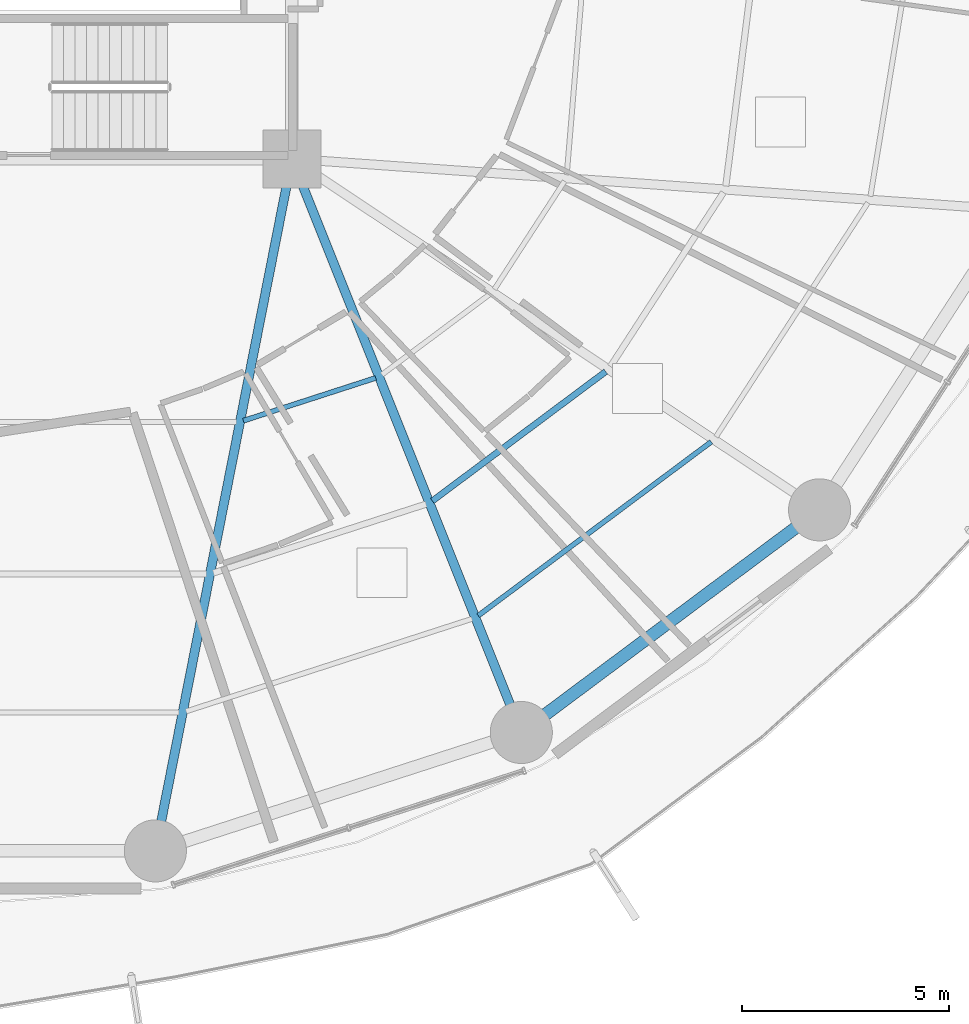
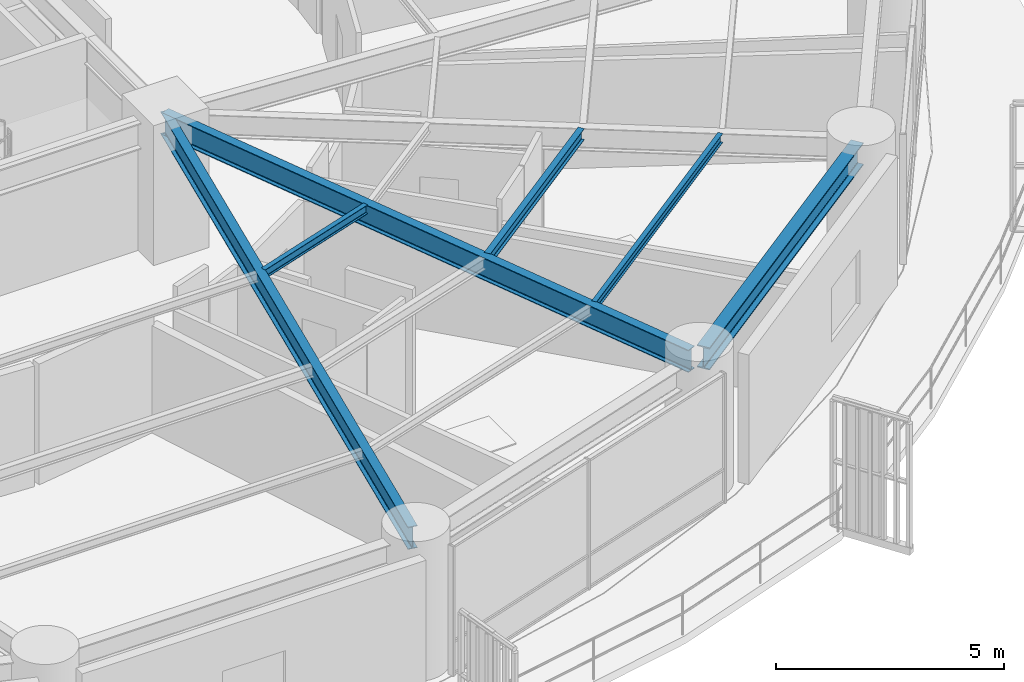
# One storey, part 9 of 33: 6 beams.
"""IFC4 building model written with IfcOpenShell, lengths in metres."""

import ifcopenshell
import ifcopenshell.guid

model = None  # the IFC model being written
_history = None  # IfcOwnerHistory: only IFC2X3 demands one
_inside = {}  # id of a spatial element -> (the spatial element, [elements in it])
_under = {}  # id of a project, library or spatial element -> (it, [spatial elements below it])
_declared = {}  # id of a project -> (the project, [libraries it declares])
_typed = {}  # id of a type object -> (the type object, [elements of that type])
_made_of = {}  # id of a material, layer set ... -> (it, [elements and type objects made of it])


def new_model(schema):
    """Start an empty IFC model of exactly this schema.

    Asked for "IFC4X3", IfcOpenShell would pick the latest addendum, in which some entities
    have other attributes; the version numbers below select the first issue.
    IFC2X3 requires an IfcOwnerHistory on every rooted entity: one is made here for all.
    """
    global model, _history
    if schema == "IFC4X3":
        model = ifcopenshell.file(schema_version=(4, 3, 0, 0))
    else:
        model = ifcopenshell.file(schema=schema)
    _inside.clear()
    _under.clear()
    _declared.clear()
    _typed.clear()
    _made_of.clear()
    _history = None
    if model.schema == "IFC2X3":
        org = make("IfcOrganization", Name="unknown")
        user = make(
            "IfcPersonAndOrganization",
            ThePerson=make("IfcPerson", FamilyName="unknown"),
            TheOrganization=org,
        )
        app = make(
            "IfcApplication",
            ApplicationDeveloper=org,
            Version="unknown",
            ApplicationFullName="unknown",
            ApplicationIdentifier="unknown",
        )
        _history = make(
            "IfcOwnerHistory",
            OwningUser=user,
            OwningApplication=app,
            ChangeAction="ADDED",
            CreationDate=0,
        )
    return model


def make(cls, **values):
    """One entity of the class cls with the attributes given. An attribute that is None is left unset."""
    return model.create_entity(
        cls, **{name: value for name, value in values.items() if value is not None}
    )


def rooted(cls, **values):
    """An entity with a GlobalId (a new one), such as an element, a storey or a relation."""
    return make(cls, GlobalId=ifcopenshell.guid.new(), OwnerHistory=_history, **values)


def si_unit(unit_type, name, prefix=None):
    """IfcSIUnit, for example si_unit("LENGTHUNIT", "METRE", prefix="MILLI")."""
    return make("IfcSIUnit", UnitType=unit_type, Prefix=prefix, Name=name)


def assignment(units):
    """IfcUnitAssignment: the units of a project."""
    return None if units is None else make("IfcUnitAssignment", Units=units)


def point(xyz):
    """IfcCartesianPoint."""
    return None if xyz is None else make("IfcCartesianPoint", Coordinates=xyz)


def direction(xyz):
    """IfcDirection."""
    return None if xyz is None else make("IfcDirection", DirectionRatios=xyz)


def frame(location, z_axis=None, x_axis=None):
    """IfcAxis2Placement3D, a coordinate frame: its origin and axes. An axis left out is left unset."""
    return make(
        "IfcAxis2Placement3D",
        Location=point(location),
        Axis=direction(z_axis),
        RefDirection=direction(x_axis),
    )


def frame_2d(location, x_axis=None):
    """IfcAxis2Placement2D, a coordinate frame in the plane: its origin and x axis."""
    return make(
        "IfcAxis2Placement2D", Location=point(location), RefDirection=direction(x_axis)
    )


def origin():
    """The frame at (0, 0, 0) with its axes left unset."""
    return frame((0.0, 0.0, 0.0))


def origin_2d():
    """The frame at (0, 0) in the plane with its x axis left unset."""
    return frame_2d((0.0, 0.0))


def place(relative_to, where):
    """IfcLocalPlacement: puts the frame where relative to a parent placement (None: the world)."""
    return make(
        "IfcLocalPlacement", PlacementRelTo=relative_to, RelativePlacement=where
    )


def context(
    kind, dimensions, precision=None, world=None, true_north=None, identifier=None
):
    """IfcGeometricRepresentationContext, for example the 3D "Model" context."""
    return make(
        "IfcGeometricRepresentationContext",
        ContextIdentifier=identifier,
        ContextType=kind,
        CoordinateSpaceDimension=dimensions,
        Precision=precision,
        WorldCoordinateSystem=world,
        TrueNorth=true_north,
    )


def subcontext(parent, identifier, kind, view, scale=None):
    """IfcGeometricRepresentationSubContext, for example "Body" below "Model"."""
    return make(
        "IfcGeometricRepresentationSubContext",
        ContextIdentifier=identifier,
        ContextType=kind,
        ParentContext=parent,
        TargetScale=scale,
        TargetView=view,
    )


def project(units=None, contexts=None):
    """IfcProject with its units and contexts."""
    return rooted(
        "IfcProject",
        Name="project",
        RepresentationContexts=contexts,
        UnitsInContext=assignment(units),
    )


def spatial(cls, under=None, at=None, **own):
    """A site, building, storey or space (cls), placed at a placement, below another one or the project."""
    s = rooted(cls, ObjectPlacement=at, **own)
    if under is not None:
        _under.setdefault(under.id(), (under, []))[1].append(s)
    return s


def profile(cls, at=None, kind="AREA", **sizes):
    """A parametric profile (cls). Its sizes go by their IFC names, for example OverallWidth=200.0."""
    return make(cls, ProfileType=kind, Position=at, **sizes)


def i_section(**sizes):
    """IfcIShapeProfileDef."""
    return profile("IfcIShapeProfileDef", **sizes)


def extrude(swept, where, along, depth):
    """IfcExtrudedAreaSolid: the profile swept, set in the frame where, extruded along a direction by depth."""
    return make(
        "IfcExtrudedAreaSolid",
        SweptArea=swept,
        Position=where,
        ExtrudedDirection=direction(along),
        Depth=depth,
    )


def shape(context_of_items, identifier, shape_type, items):
    """IfcShapeRepresentation: the items that make up one representation, for example the "Body"."""
    return make(
        "IfcShapeRepresentation",
        ContextOfItems=context_of_items,
        RepresentationIdentifier=identifier,
        RepresentationType=shape_type,
        Items=items,
    )


def material(Name=None, Category=None):
    """IfcMaterial."""
    return make("IfcMaterial", Name=Name, Category=Category)


def material_profile(
    of_material, cross_section, Name=None, Category=None, Priority=None
):
    """IfcMaterialProfile: a cross section and its material."""
    return make(
        "IfcMaterialProfile",
        Name=Name,
        Material=of_material,
        Profile=cross_section,
        Priority=Priority,
        Category=Category,
    )


def profile_set(profiles, Name=None, composite=None):
    """IfcMaterialProfileSet."""
    return make(
        "IfcMaterialProfileSet",
        Name=Name,
        MaterialProfiles=profiles,
        CompositeProfile=composite,
    )


def made_of(thing, what):
    """Note that an element or type object is made of a material, layer set ...; save() writes the relation."""
    if what is not None:
        _made_of.setdefault(what.id(), (what, []))[1].append(thing)
    return thing


def type_object(cls, material=None, **own):
    """A type object (cls), such as IfcWallType, which elements share."""
    return made_of(rooted(cls, **own), material)


def element(
    cls,
    number,
    at=None,
    inside=None,
    cuts=None,
    type_object=None,
    material=None,
    context=None,
    identifier="Body",
    shape_type=None,
    held_by="IfcProductDefinitionShape",
    body=None,
    shapes=None,
    **own,
):
    """One element of the class cls, such as IfcWall. Its Tag is "e" and its number.

    at: its placement. inside: the storey or other place that contains it. cuts: it is an
    opening in that element (IfcRelVoidsElement). A single representation is given by context,
    identifier, shape_type and body (its items); several are given by shapes. held_by: the class
    of the entity that holds the representations. save() writes the other relations.
    """
    e = rooted(cls, Tag="e%d" % number, ObjectPlacement=at, **own)
    if body is not None:
        shapes = [shape(context, identifier, shape_type, body)]
    if shapes is not None:
        e.Representation = make(held_by, Representations=shapes)
    if inside is not None:
        _inside.setdefault(inside.id(), (inside, []))[1].append(e)
    if cuts is not None:
        rooted(
            "IfcRelVoidsElement", RelatingBuildingElement=cuts, RelatedOpeningElement=e
        )
    if type_object is not None:
        _typed.setdefault(type_object.id(), (type_object, []))[1].append(e)
    return made_of(e, material)


def aggregate(whole, parts):
    """IfcRelAggregates: a whole, such as a stair, and the parts it consists of."""
    return rooted("IfcRelAggregates", RelatingObject=whole, RelatedObjects=parts)


def save(model, path):
    """Write the relations noted so far, then the file.

    IfcRelAggregates (storeys below a building ...), IfcRelContainedInSpatialStructure (elements
    in a storey), IfcRelDefinesByType, IfcRelAssociatesMaterial and IfcRelDeclares: one each for
    every whole, place, type object, material and project.
    """
    for whole, parts in _under.values():
        aggregate(whole, parts)
    for where, things in _inside.values():
        rooted(
            "IfcRelContainedInSpatialStructure",
            RelatedElements=things,
            RelatingStructure=where,
        )
    for kind, things in _typed.values():
        rooted("IfcRelDefinesByType", RelatedObjects=things, RelatingType=kind)
    for what, things in _made_of.values():
        rooted("IfcRelAssociatesMaterial", RelatedObjects=things, RelatingMaterial=what)
    for by, libraries in _declared.values():
        rooted("IfcRelDeclares", RelatingContext=by, RelatedDefinitions=libraries)
    model.write(path)


model = new_model("IFC4")

# Units and contexts
model_context = context("Model", 3, precision=1e-05, world=origin(), true_north=direction((0.0, 1.0)))
body_context = subcontext(model_context, "Body", "Model", "MODEL_VIEW")
ifc_project = project(units=[si_unit("LENGTHUNIT", "METRE"), si_unit("AREAUNIT", "SQUARE_METRE"), si_unit("VOLUMEUNIT", "CUBIC_METRE"), si_unit("PLANEANGLEUNIT", "RADIAN"), si_unit("MASSUNIT", "GRAM", prefix="KILO")], contexts=[model_context])

# Site, building, storey
site_placement = place(None, origin())
site = spatial("IfcSite", under=ifc_project, at=site_placement, CompositionType="ELEMENT")
building_placement = place(site_placement, origin())
building = spatial("IfcBuilding", under=site, at=building_placement, Name="Kelanora Arch Commons", CompositionType="ELEMENT")
storey_placement = place(building_placement, frame((0.0, 0.0, 37.5)))
storey = spatial("IfcBuildingStorey", under=building, at=storey_placement, Name="L09", CompositionType="ELEMENT", Elevation=37.5)

# Beams
ifc_material = material(Name="Steel S355", Category="steel")
ifc_material_profile_1 = material_profile(ifc_material, i_section(OverallWidth=0.14990234375, OverallDepth=0.300048828125, WebThickness=0.007080078125, FlangeThickness=0.0107421875, FilletRadius=0.014892578125, at=origin_2d()), Name="IPE300")
ifc_profile_set_1 = profile_set([ifc_material_profile_1], Name="Steel S355")
beam_type_1 = type_object("IfcBeamType", Name="BM-JST-01", PredefinedType="JOIST", material=ifc_profile_set_1)
beam_1_placement = place(storey_placement, frame((85.39208984375, 42.738525390625, 3.340087890625), z_axis=(0.801478251559, 0.598023922831, 0.0), x_axis=(-0.598023922831, 0.801478251559, 0.0)))
element("IfcBeam", 1, at=beam_1_placement, inside=storey, type_object=beam_type_1, Name="Secondary Chord Joist BJB-30 L09", PredefinedType="JOIST", context=body_context, shape_type="SweptSolid", body=[
    extrude(i_section(OverallWidth=0.14990234375, OverallDepth=0.300048828125, WebThickness=0.007080078125, FlangeThickness=0.0107421875, FilletRadius=0.014892578125, at=origin_2d()), origin(), (0.0, 0.0, 1.0), 5.223388671875),
])
ifc_material_profile_2 = material_profile(ifc_material, i_section(OverallWidth=0.1201171875, OverallDepth=0.239990234375, WebThickness=0.006103515625, FlangeThickness=0.009765625, FilletRadius=0.014892578125, at=origin_2d()), Name="IPE240")
ifc_profile_set_2 = profile_set([ifc_material_profile_2], Name="Steel S355")
beam_type_2 = type_object("IfcBeamType", Name="BM-JST-02", PredefinedType="JOIST", material=ifc_profile_set_2)
beam_2_placement = place(storey_placement, frame((80.827880859375, 44.6748046875, 3.3701171875), z_axis=(0.951422608074, 0.30788800049, 0.0), x_axis=(-0.30788800049, 0.951422608074, 0.0)))
element("IfcBeam", 2, at=beam_2_placement, inside=storey, type_object=beam_type_2, Name="Secondary Chord Joist BJA-28 L09", PredefinedType="JOIST", context=body_context, shape_type="SweptSolid", body=[
    extrude(i_section(OverallWidth=0.1201171875, OverallDepth=0.239990234375, WebThickness=0.006103515625, FlangeThickness=0.009765625, FilletRadius=0.014892578125, at=origin_2d()), origin(), (0.0, 0.0, 1.0), 3.359619140625),
])
beam_3_placement = place(storey_placement, frame((86.5, 39.9677734375, 3.3701171875), z_axis=(0.80149131963, 0.598006408459, 0.0), x_axis=(-0.598006408459, 0.80149131963, 0.0)))
element("IfcBeam", 3, at=beam_3_placement, inside=storey, type_object=beam_type_2, Name="Secondary Chord Joist BJC-30 L09", PredefinedType="JOIST", context=body_context, shape_type="SweptSolid", body=[
    extrude(i_section(OverallWidth=0.1201171875, OverallDepth=0.239990234375, WebThickness=0.006103515625, FlangeThickness=0.009765625, FilletRadius=0.014892578125, at=origin_2d()), origin(), (0.0, 0.0, 1.0), 7.021240234375),
])
ifc_material_profile_3 = material_profile(ifc_material, i_section(OverallWidth=0.219970703125, OverallDepth=0.60009765625, WebThickness=0.011962890625, FlangeThickness=0.01904296875, FilletRadius=0.02392578125, at=origin_2d()), Name="IPE600")
ifc_profile_set_3 = profile_set([ifc_material_profile_3], Name="Steel S355")
beam_type_3 = type_object("IfcBeamType", Name="BM-RAD-Z1", PredefinedType="BEAM", material=ifc_profile_set_3)
beam_4_placement = place(storey_placement, frame((82.0, 51.0, 3.18994140625), z_axis=(-0.193555256292, -0.981089375522, 0.0), x_axis=(0.981089375522, -0.193555256292, 0.0)))
element("IfcBeam", 4, at=beam_4_placement, inside=storey, type_object=beam_type_3, Name="Radial Floor Girder BR-28 L09", PredefinedType="BEAM", context=body_context, shape_type="SweptSolid", body=[
    extrude(i_section(OverallWidth=0.219970703125, OverallDepth=0.60009765625, WebThickness=0.011962890625, FlangeThickness=0.01904296875, FilletRadius=0.02392578125, at=origin_2d()), origin(), (0.0, 0.0, 1.0), 16.81640625),
])
beam_5_placement = place(storey_placement, frame((82.0, 51.0, 3.18994140625), z_axis=(0.371296182896, -0.928514482691, 0.0), x_axis=(0.928514482691, 0.371296182896, 0.0)))
element("IfcBeam", 5, at=beam_5_placement, inside=storey, type_object=beam_type_3, Name="Radial Floor Girder BR-30 L09", PredefinedType="BEAM", context=body_context, shape_type="SweptSolid", body=[
    extrude(i_section(OverallWidth=0.219970703125, OverallDepth=0.60009765625, WebThickness=0.011962890625, FlangeThickness=0.01904296875, FilletRadius=0.02392578125, at=origin_2d()), origin(), (0.0, 0.0, 1.0), 14.700439453125),
])
ifc_material_profile_4 = material_profile(ifc_material, i_section(OverallWidth=0.300048828125, OverallDepth=0.60009765625, WebThickness=0.015380859375, FlangeThickness=0.030029296875, FilletRadius=0.027099609375, at=origin_2d()), Name="HEB600")
ifc_profile_set_4 = profile_set([ifc_material_profile_4], Name="Steel S355")
beam_type_4 = type_object("IfcBeamType", Name="BM-SPN-Z1", PredefinedType="SPANDREL", material=ifc_profile_set_4)
beam_6_placement = place(storey_placement, frame((87.71630859375, 37.277587890625, 3.18994140625), z_axis=(0.801474585329, 0.598028836322, 0.0), x_axis=(-0.598028836322, 0.801474585329, 0.0)))
element("IfcBeam", 6, at=beam_6_placement, inside=storey, type_object=beam_type_4, Name="Perimeter Spandrel Beam BS-30 L09", PredefinedType="SPANDREL", context=body_context, shape_type="SweptSolid", body=[
    extrude(i_section(OverallWidth=0.300048828125, OverallDepth=0.60009765625, WebThickness=0.015380859375, FlangeThickness=0.030029296875, FilletRadius=0.027099609375, at=origin_2d()), origin(), (0.0, 0.0, 1.0), 8.549072265625),
])

save(model, "model.ifc")
